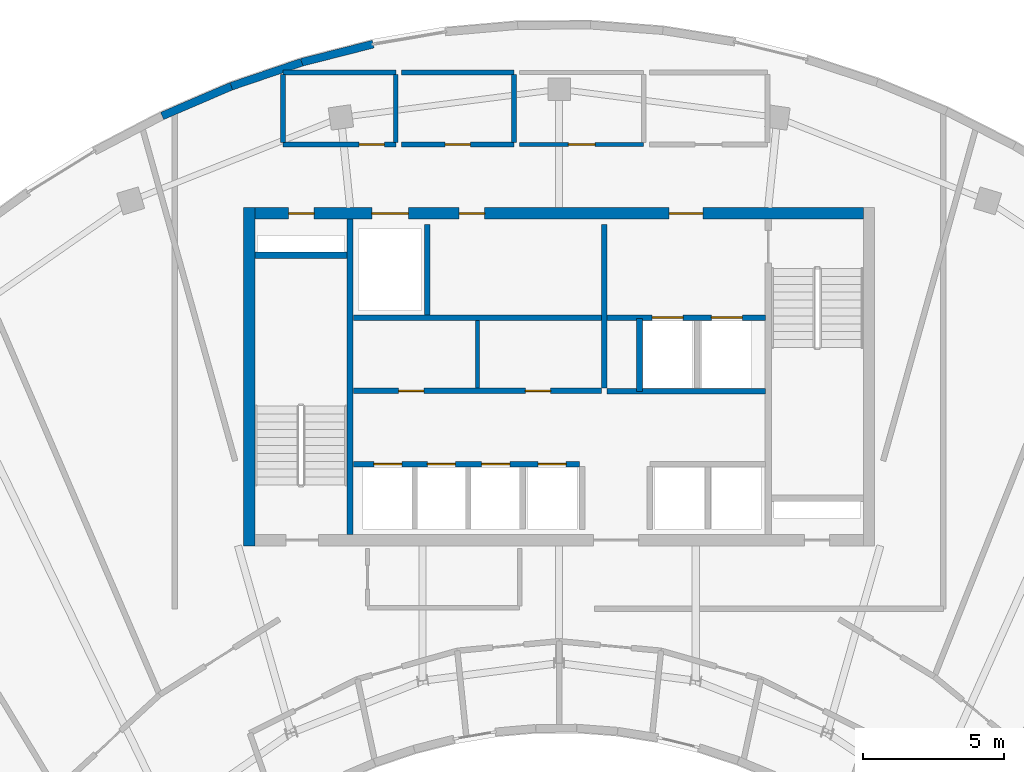
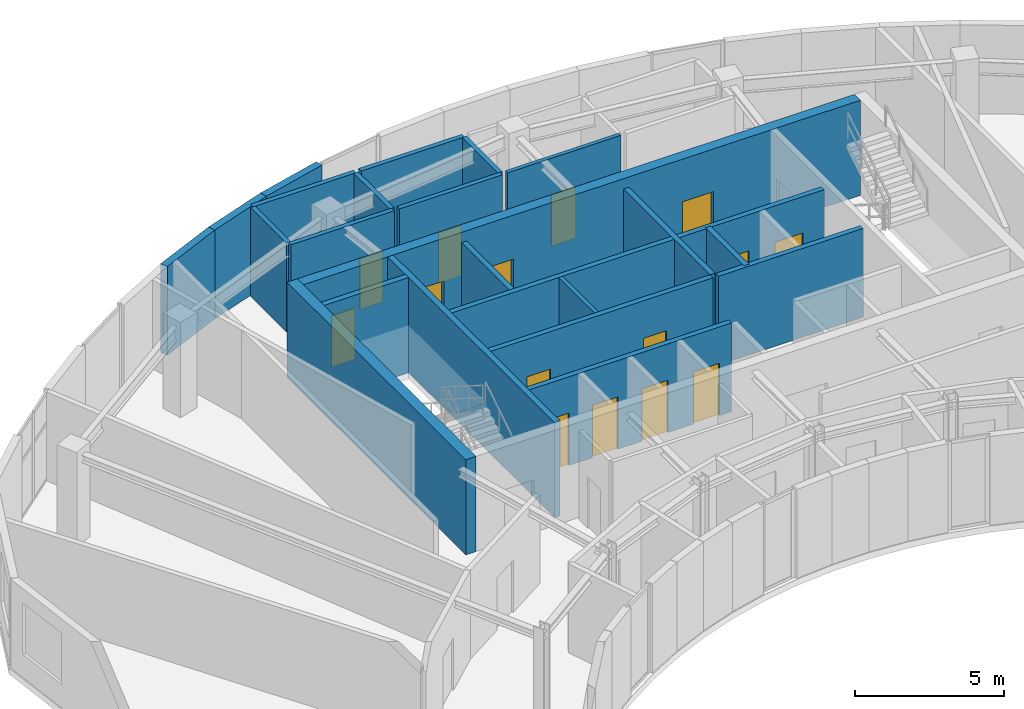
# One storey, part 6 of 9: 24 walls, 15 doors, 15 openings.
"""IFC4 building model written with IfcOpenShell, lengths in metres."""

from ifc_helpers import new_model, si_unit, direction, frame, frame_2d, origin, place, context, subcontext, project, spatial, rectangle, extrude, source, transform, mapped, material, layer, layer_set, type_object, type_shapes, element, fill, save


model = new_model("IFC4")

# Units and contexts
model_context = context("Model", 3, precision=1e-05, world=origin(), true_north=direction((0.0, 1.0)))
body_context = subcontext(model_context, "Body", "Model", "MODEL_VIEW")
ifc_project = project(units=[si_unit("LENGTHUNIT", "METRE"), si_unit("AREAUNIT", "SQUARE_METRE"), si_unit("VOLUMEUNIT", "CUBIC_METRE"), si_unit("PLANEANGLEUNIT", "RADIAN"), si_unit("MASSUNIT", "GRAM", prefix="KILO")], contexts=[model_context])

# Site, building, storey
site_placement = place(None, origin())
site = spatial("IfcSite", under=ifc_project, at=site_placement, CompositionType="ELEMENT")
building_placement = place(site_placement, origin())
building = spatial("IfcBuilding", under=site, at=building_placement, Name="Breltana Convention Tower", CompositionType="ELEMENT")
storey_placement = place(building_placement, frame((0.0, 0.0, 279.60009765625)))
storey = spatial("IfcBuildingStorey", under=building, at=storey_placement, Name="L68", CompositionType="ELEMENT", Elevation=279.60009765625)

# Walls
ifc_material_1 = material(Name="Concrete C50/60", Category="concrete")
ifc_layer_1 = layer(ifc_material_1, 0.39990234375, Name="Concrete C50/60")
ifc_layer_set_1 = layer_set([ifc_layer_1], Name="Concrete C50/60")
wall_type_1 = type_object("IfcWallType", Name="SW-CORE-400", PredefinedType="SHEAR", material=ifc_layer_set_1)
shared_shape_1 = source(origin(), body_context, "Body", "SweptSolid", [
    extrude(rectangle(XDim=3.27001953125, YDim=0.219970703125, at=frame_2d((1.635009765625, 0.0))), origin(), (0.0, 0.0, 1.0), 3.89990234375),
])
wall_1_placement = place(storey_placement, frame((37.199951171875, 70.510009765625, 0.0), z_axis=(0.0, 0.0, 1.0), x_axis=(1.0, 0.0, 0.0)))
element("IfcWall", 1, at=wall_1_placement, inside=storey, type_object=wall_type_1, Name="L68 ST-1 Stairwell North Bearing Wall", PredefinedType="SHEAR", context=body_context, shape_type="MappedRepresentation", body=[
    mapped(shared_shape_1, transform((0.0, 0.0, 0.0), scale=1.0)),
])
shared_shape_2 = source(origin(), body_context, "Body", "SweptSolid", [
    extrude(rectangle(XDim=12.0, YDim=0.39990234375, at=frame_2d((6.0, 0.0))), origin(), (0.0, 0.0, 1.0), 3.89990234375),
])
wall_2_placement = place(storey_placement, frame((37.0, 60.199951171875, 0.0), z_axis=(0.0, 0.0, 1.0), x_axis=(0.0, 1.0, 0.0)))
element("IfcWall", 2, at=wall_2_placement, inside=storey, type_object=wall_type_1, Name="L68 West Core Shear Wall", PredefinedType="SHEAR", context=body_context, shape_type="MappedRepresentation", body=[
    mapped(shared_shape_2, transform((0.0, 0.0, 0.0), scale=1.0)),
])

# Wall, openings, doors
shared_shape_3 = source(origin(), body_context, "Body", "SweptSolid", [
    extrude(rectangle(XDim=21.60009765625, YDim=0.39990234375, at=frame_2d((10.800048828125, 0.0))), origin(), (0.0, 0.0, 1.0), 3.89990234375),
])
wall_3_placement = place(storey_placement, frame((37.199951171875, 72.0, 0.0), z_axis=(0.0, 0.0, 1.0), x_axis=(1.0, 0.0, 0.0)))
wall_3 = element("IfcWall", 3, at=wall_3_placement, inside=storey, type_object=wall_type_1, Name="L68 North Core Shear Wall", PredefinedType="SHEAR", context=body_context, shape_type="MappedRepresentation", body=[
    mapped(shared_shape_3, transform((0.0, 0.0, 0.0), scale=1.0)),
])
opening_1_placement = place(wall_3_placement, frame((1.199951171875, 0.0, 0.0)))
opening_1 = element("IfcOpeningElement", 4, at=opening_1_placement, cuts=wall_3, Name="Opening D-18", PredefinedType="OPENING", context=body_context, shape_type="SweptSolid", body=[
    extrude(rectangle(XDim=0.89990234375, YDim=2.10009765625, at=frame_2d((0.449951171875, 1.050048828125))), frame((0.0, 0.2099609375, 0.0), z_axis=(0.0, -1.0, 0.0), x_axis=(1.0, 0.0, 0.0)), (0.0, 0.0, 1.0), 0.419921875),
])
opening_2_placement = place(wall_3_placement, frame((14.699951171875, 0.0, 0.0)))
opening_2 = element("IfcOpeningElement", 5, at=opening_2_placement, cuts=wall_3, Name="Opening D-09", PredefinedType="OPENING", context=body_context, shape_type="SweptSolid", body=[
    extrude(rectangle(XDim=1.199951171875, YDim=2.14990234375, at=frame_2d((0.60009765625, 1.074951171875))), frame((0.0, 0.2099609375, 0.0), z_axis=(0.0, -1.0, 0.0), x_axis=(1.0, 0.0, 0.0)), (0.0, 0.0, 1.0), 0.419921875),
])
opening_3_placement = place(wall_3_placement, frame((4.14990234375, 0.0, 0.0)))
opening_3 = element("IfcOpeningElement", 6, at=opening_3_placement, cuts=wall_3, Name="Opening LD-01", PredefinedType="OPENING", context=body_context, shape_type="SweptSolid", body=[
    extrude(rectangle(XDim=1.300048828125, YDim=2.14990234375, at=frame_2d((0.64990234375, 1.074951171875))), frame((0.0, 0.2099609375, 0.0), z_axis=(0.0, -1.0, 0.0), x_axis=(1.0, 0.0, 0.0)), (0.0, 0.0, 1.0), 0.419921875),
])
opening_4_placement = place(wall_3_placement, frame((7.25, 0.0, 0.0)))
opening_4 = element("IfcOpeningElement", 7, at=opening_4_placement, cuts=wall_3, Name="Opening D-18", PredefinedType="OPENING", context=body_context, shape_type="SweptSolid", body=[
    extrude(rectangle(XDim=0.89990234375, YDim=2.10009765625, at=frame_2d((0.449951171875, 1.050048828125))), frame((0.0, 0.2099609375, 0.0), z_axis=(0.0, -1.0, 0.0), x_axis=(1.0, 0.0, 0.0)), (0.0, 0.0, 1.0), 0.419921875),
])
ifc_material_2 = material(Name="Steel Riser Fire Door", Category="steel")
door_type_1 = type_object("IfcDoorType", Name="DR-FD60-900", OperationType="NOTDEFINED", PredefinedType="DOOR", material=ifc_material_2)
shared_shape_4 = source(origin(), body_context, "Body", "SweptSolid", [
    extrude(rectangle(XDim=0.89990234375, YDim=2.10009765625, at=frame_2d((0.449951171875, 1.050048828125))), frame((0.0, 0.02490234375, 0.0), z_axis=(0.0, -1.0, 0.0), x_axis=(1.0, 0.0, 0.0)), (0.0, 0.0, 1.0), 0.050048828125),
])
type_shapes(door_type_1, [shared_shape_4])
door_1_placement = place(opening_1_placement, origin())
door_1 = element("IfcDoor", 8, at=door_1_placement, inside=storey, type_object=door_type_1, Name="L68 Core Riser Access Door D-L68-RS1", OperationType="SINGLE_SWING_LEFT", OverallHeight=2.10009765625, OverallWidth=0.89990234375, PredefinedType="DOOR", context=body_context, shape_type="MappedRepresentation", body=[
    mapped(shared_shape_4, transform((0.0, 0.0, 0.0), scale=1.0)),
])
fill(opening_1, door_1)
door_2_placement = place(opening_4_placement, origin())
door_2 = element("IfcDoor", 9, at=door_2_placement, inside=storey, type_object=door_type_1, Name="L68 interior door D-L68-CRA1", OperationType="SINGLE_SWING_RIGHT", OverallHeight=2.10009765625, OverallWidth=0.89990234375, PredefinedType="DOOR", context=body_context, shape_type="MappedRepresentation", body=[
    mapped(shared_shape_4, transform((0.0, 0.0, 0.0), scale=1.0)),
])
fill(opening_4, door_2)
ifc_material_3 = material(Name="Steel Fire Lobby Door", Category="steel")
door_type_2 = type_object("IfcDoorType", Name="DR-FD120-1200", OperationType="NOTDEFINED", PredefinedType="DOOR", material=ifc_material_3)
shared_shape_5 = source(origin(), body_context, "Body", "SweptSolid", [
    extrude(rectangle(XDim=1.199951171875, YDim=2.14990234375, at=frame_2d((0.60009765625, 1.074951171875))), frame((0.0, 0.02490234375, 0.0), z_axis=(0.0, -1.0, 0.0), x_axis=(1.0, 0.0, 0.0)), (0.0, 0.0, 1.0), 0.050048828125),
])
type_shapes(door_type_2, [shared_shape_5])
door_3_placement = place(opening_2_placement, origin())
door_3 = element("IfcDoor", 10, at=door_3_placement, inside=storey, type_object=door_type_2, Name="L68 interior door D-L68-FFL-N", OperationType="SINGLE_SWING_RIGHT", OverallHeight=2.14990234375, OverallWidth=1.199951171875, PredefinedType="DOOR", context=body_context, shape_type="MappedRepresentation", body=[
    mapped(shared_shape_5, transform((0.0, 0.0, 0.0), scale=1.0)),
])
fill(opening_2, door_3)
ifc_material_4 = material(Name="Stainless Steel Brushed", Category="steel")
door_type_3 = type_object("IfcDoorType", Name="DR-LD-SRV-1300", OperationType="DOUBLE_DOOR_SLIDING", PredefinedType="DOOR", material=ifc_material_4)
shared_shape_6 = source(origin(), body_context, "Body", "SweptSolid", [
    extrude(rectangle(XDim=1.300048828125, YDim=2.14990234375, at=frame_2d((0.64990234375, 1.074951171875))), frame((0.0, 0.02490234375, 0.0), z_axis=(0.0, -1.0, 0.0), x_axis=(1.0, 0.0, 0.0)), (0.0, 0.0, 1.0), 0.050048828125),
])
type_shapes(door_type_3, [shared_shape_6])
door_4_placement = place(opening_3_placement, origin())
door_4 = element("IfcDoor", 11, at=door_4_placement, inside=storey, type_object=door_type_3, Name="L68 Lift Landing Door D-L68-LD-SV1", OperationType="DOUBLE_DOOR_SLIDING", OverallHeight=2.14990234375, OverallWidth=1.300048828125, PredefinedType="DOOR", context=body_context, shape_type="MappedRepresentation", body=[
    mapped(shared_shape_6, transform((0.0, 0.0, 0.0), scale=1.0)),
])
fill(opening_3, door_4)

# Walls
shared_shape_7 = source(origin(), body_context, "Body", "SweptSolid", [
    extrude(rectangle(XDim=11.199951171875, YDim=0.219970703125, at=frame_2d((5.60009765625, 0.0))), origin(), (0.0, 0.0, 1.0), 3.89990234375),
])
wall_4_placement = place(storey_placement, frame((40.580078125, 60.60009765625, 0.0), z_axis=(0.0, 0.0, 1.0), x_axis=(0.0, 1.0, 0.0)))
element("IfcWall", 12, at=wall_4_placement, inside=storey, type_object=wall_type_1, Name="L68 Core West Stair Spine Wall", PredefinedType="SHEAR", context=body_context, shape_type="MappedRepresentation", body=[
    mapped(shared_shape_7, transform((0.0, 0.0, 0.0), scale=1.0)),
])
ifc_material_5 = material(Name="Limestone Buff Insulated Wall", Category="masonry")
ifc_layer_2 = layer(ifc_material_5, 0.280029296875, Name="Limestone Buff Insulated Wall")
ifc_layer_set_2 = layer_set([ifc_layer_2], Name="Limestone Buff Insulated Wall")
wall_type_2 = type_object("IfcWallType", Name="WL-EXT-NOSE-280", PredefinedType="SOLIDWALL", material=ifc_layer_set_2)
shared_shape_8 = source(origin(), body_context, "Body", "SweptSolid", [
    extrude(rectangle(XDim=2.67333984375, YDim=0.280029296875, at=frame_2d((1.336669921875, 0.0))), origin(), (0.0, 0.0, 1.0), 3.639892578125),
])
wall_5_placement = place(storey_placement, frame((33.906982421875, 75.45751953125, 0.0), z_axis=(0.0, 0.0, 1.0), x_axis=(0.919036345912, 0.394172798266, 0.0)))
element("IfcWall", 13, at=wall_5_placement, inside=storey, type_object=wall_type_2, Name="L68 curved limestone nose wall E22", PredefinedType="SOLIDWALL", context=body_context, shape_type="MappedRepresentation", body=[
    mapped(shared_shape_8, transform((0.0, 0.0, 0.0), scale=1.0)),
])
shared_shape_9 = source(origin(), body_context, "Body", "SweptSolid", [
    extrude(rectangle(XDim=2.640380859375, YDim=0.280029296875, at=frame_2d((1.3203125, 0.0))), origin(), (0.0, 0.0, 1.0), 3.639892578125),
])
wall_6_placement = place(storey_placement, frame((36.36376953125, 76.51123046875, 0.0), z_axis=(0.0, 0.0, 1.0), x_axis=(0.946685911962, 0.322158011064, 0.0)))
element("IfcWall", 14, at=wall_6_placement, inside=storey, type_object=wall_type_2, Name="L68 curved limestone nose wall E23", PredefinedType="SOLIDWALL", context=body_context, shape_type="MappedRepresentation", body=[
    mapped(shared_shape_9, transform((0.0, 0.0, 0.0), scale=1.0)),
])
shared_shape_10 = source(origin(), body_context, "Body", "SweptSolid", [
    extrude(rectangle(XDim=2.6142578125, YDim=0.280029296875, at=frame_2d((1.30712890625, 0.0))), origin(), (0.0, 0.0, 1.0), 3.639892578125),
])
wall_7_placement = place(storey_placement, frame((38.86328125, 77.36181640625, 0.0), z_axis=(0.0, 0.0, 1.0), x_axis=(0.969106509315, 0.246642602978, 0.0)))
element("IfcWall", 15, at=wall_7_placement, inside=storey, type_object=wall_type_2, Name="L68 curved limestone nose wall E24", PredefinedType="SOLIDWALL", context=body_context, shape_type="MappedRepresentation", body=[
    mapped(shared_shape_10, transform((0.0, 0.0, 0.0), scale=1.0)),
])

# Wall, openings, doors
ifc_material_6 = material(Name="Autoclaved Aerated Concrete Block", Category="concrete")
ifc_layer_3 = layer(ifc_material_6, 0.199951171875, Name="Autoclaved Aerated Concrete Block")
ifc_layer_set_3 = layer_set([ifc_layer_3], Name="Autoclaved Aerated Concrete Block")
wall_type_3 = type_object("IfcWallType", Name="WL-SHAFT-200", PredefinedType="SOLIDWALL", material=ifc_layer_set_3)
shared_shape_11 = source(origin(), body_context, "Body", "SweptSolid", [
    extrude(rectangle(XDim=5.6201171875, YDim=0.199951171875, at=frame_2d((2.81005859375, 0.0))), origin(), (0.0, 0.0, 1.0), 3.639892578125),
])
wall_8_placement = place(storey_placement, frame((49.699951171875, 68.300048828125, 0.0), z_axis=(0.0, 0.0, 1.0), x_axis=(1.0, 0.0, 0.0)))
wall_8 = element("IfcWall", 16, at=wall_8_placement, inside=storey, type_object=wall_type_3, Name="L68 interior partition W-L68-FFL-S", PredefinedType="SOLIDWALL", context=body_context, shape_type="MappedRepresentation", body=[
    mapped(shared_shape_11, transform((0.0, 0.0, 0.0), scale=1.0)),
])
opening_5_placement = place(wall_8_placement, frame((1.60009765625, 0.0, 0.0)))
opening_5 = element("IfcOpeningElement", 17, at=opening_5_placement, cuts=wall_8, Name="Opening LD-03", PredefinedType="OPENING", context=body_context, shape_type="SweptSolid", body=[
    extrude(rectangle(XDim=1.10009765625, YDim=2.14990234375, at=frame_2d((0.550048828125, 1.074951171875))), frame((0.0, 0.10986328125, 0.0), z_axis=(0.0, -1.0, 0.0), x_axis=(1.0, 0.0, 0.0)), (0.0, 0.0, 1.0), 0.219970703125),
])
opening_6_placement = place(wall_8_placement, frame((3.699951171875, 0.0, 0.0)))
opening_6 = element("IfcOpeningElement", 18, at=opening_6_placement, cuts=wall_8, Name="Opening LD-03", PredefinedType="OPENING", context=body_context, shape_type="SweptSolid", body=[
    extrude(rectangle(XDim=1.10009765625, YDim=2.14990234375, at=frame_2d((0.550048828125, 1.074951171875))), frame((0.0, 0.10986328125, 0.0), z_axis=(0.0, -1.0, 0.0), x_axis=(1.0, 0.0, 0.0)), (0.0, 0.0, 1.0), 0.219970703125),
])
door_type_4 = type_object("IfcDoorType", Name="DR-LD-FF-1100", OperationType="DOUBLE_DOOR_SLIDING", PredefinedType="DOOR", material=ifc_material_4)
shared_shape_12 = source(origin(), body_context, "Body", "SweptSolid", [
    extrude(rectangle(XDim=1.10009765625, YDim=2.14990234375, at=frame_2d((0.550048828125, 1.074951171875))), frame((0.0, 0.02490234375, 0.0), z_axis=(0.0, -1.0, 0.0), x_axis=(1.0, 0.0, 0.0)), (0.0, 0.0, 1.0), 0.050048828125),
])
type_shapes(door_type_4, [shared_shape_12])
door_5_placement = place(opening_5_placement, origin())
door_5 = element("IfcDoor", 19, at=door_5_placement, inside=storey, type_object=door_type_4, Name="L68 Lift Landing Door D-L68-LD-FL1", OperationType="DOUBLE_DOOR_SLIDING", OverallHeight=2.14990234375, OverallWidth=1.10009765625, PredefinedType="DOOR", context=body_context, shape_type="MappedRepresentation", body=[
    mapped(shared_shape_12, transform((0.0, 0.0, 0.0), scale=1.0)),
])
fill(opening_5, door_5)
door_6_placement = place(opening_6_placement, origin())
door_6 = element("IfcDoor", 20, at=door_6_placement, inside=storey, type_object=door_type_4, Name="L68 Lift Landing Door D-L68-LD-FL2", OperationType="DOUBLE_DOOR_SLIDING", OverallHeight=2.14990234375, OverallWidth=1.10009765625, PredefinedType="DOOR", context=body_context, shape_type="MappedRepresentation", body=[
    mapped(shared_shape_12, transform((0.0, 0.0, 0.0), scale=1.0)),
])
fill(opening_6, door_6)

# Walls
wall_9_placement = place(storey_placement, frame((49.699951171875, 65.679931640625, 0.0), z_axis=(0.0, 0.0, 1.0), x_axis=(1.0, 0.0, 0.0)))
element("IfcWall", 21, at=wall_9_placement, inside=storey, type_object=wall_type_3, Name="L68 interior partition W-L68-FL-S", PredefinedType="SOLIDWALL", context=body_context, shape_type="MappedRepresentation", body=[
    mapped(shared_shape_11, transform((0.0, 0.0, 0.0), scale=1.0)),
])
shared_shape_13 = source(origin(), body_context, "Body", "SweptSolid", [
    extrude(rectangle(XDim=5.800048828125, YDim=0.199951171875, at=frame_2d((2.89990234375, 0.0))), origin(), (0.0, 0.0, 1.0), 3.639892578125),
])
wall_10_placement = place(storey_placement, frame((49.60009765625, 65.800048828125, 0.0), z_axis=(0.0, 0.0, 1.0), x_axis=(0.0, 1.0, 0.0)))
element("IfcWall", 22, at=wall_10_placement, inside=storey, type_object=wall_type_3, Name="L68 interior partition W-L68-FFL-W", PredefinedType="SOLIDWALL", context=body_context, shape_type="MappedRepresentation", body=[
    mapped(shared_shape_13, transform((0.0, 0.0, 0.0), scale=1.0)),
])
shared_shape_14 = source(origin(), body_context, "Body", "SweptSolid", [
    extrude(rectangle(XDim=2.580078125, YDim=0.199951171875, at=frame_2d((1.2900390625, 0.0))), origin(), (0.0, 0.0, 1.0), 3.639892578125),
])
wall_11_placement = place(storey_placement, frame((50.85009765625, 65.679931640625, 0.0), z_axis=(0.0, 0.0, 1.0), x_axis=(0.0, 1.0, 0.0)))
element("IfcWall", 23, at=wall_11_placement, inside=storey, type_object=wall_type_3, Name="L68 interior partition W-L68-FL-W", PredefinedType="SOLIDWALL", context=body_context, shape_type="MappedRepresentation", body=[
    mapped(shared_shape_14, transform((0.0, 0.0, 0.0), scale=1.0)),
])
shared_shape_15 = source(origin(), body_context, "Body", "SweptSolid", [
    extrude(rectangle(XDim=3.2001953125, YDim=0.199951171875, at=frame_2d((1.60009765625, 0.0))), origin(), (0.0, 0.0, 1.0), 3.639892578125),
])
wall_12_placement = place(storey_placement, frame((43.320068359375, 68.39990234375, 0.0), z_axis=(0.0, 0.0, 1.0), x_axis=(0.0, 1.0, 0.0)))
element("IfcWall", 24, at=wall_12_placement, inside=storey, type_object=wall_type_3, Name="L68 interior partition W-L68-SV-E", PredefinedType="SOLIDWALL", context=body_context, shape_type="MappedRepresentation", body=[
    mapped(shared_shape_15, transform((0.0, 0.0, 0.0), scale=1.0)),
])
shared_shape_16 = source(origin(), body_context, "Body", "SweptSolid", [
    extrude(rectangle(XDim=8.800048828125, YDim=0.199951171875, at=frame_2d((4.39990234375, 0.0))), origin(), (0.0, 0.0, 1.0), 3.639892578125),
])
wall_13_placement = place(storey_placement, frame((40.699951171875, 68.300048828125, 0.0), z_axis=(0.0, 0.0, 1.0), x_axis=(1.0, 0.0, 0.0)))
element("IfcWall", 25, at=wall_13_placement, inside=storey, type_object=wall_type_3, Name="L68 interior partition W-L68-SV-S", PredefinedType="SOLIDWALL", context=body_context, shape_type="MappedRepresentation", body=[
    mapped(shared_shape_16, transform((0.0, 0.0, 0.0), scale=1.0)),
])

# Wall, openings, doors
wall_14_placement = place(storey_placement, frame((40.699951171875, 65.699951171875, 0.0), z_axis=(0.0, 0.0, 1.0), x_axis=(1.0, 0.0, 0.0)))
wall_14 = element("IfcWall", 26, at=wall_14_placement, inside=storey, type_object=wall_type_3, Name="L68 interior partition W-L68-SH-M-FRONT", PredefinedType="SOLIDWALL", context=body_context, shape_type="MappedRepresentation", body=[
    mapped(shared_shape_16, transform((0.0, 0.0, 0.0), scale=1.0)),
])
opening_7_placement = place(wall_14_placement, frame((1.60009765625, 0.0, 0.0)))
opening_7 = element("IfcOpeningElement", 27, at=opening_7_placement, cuts=wall_14, Name="Opening D-18", PredefinedType="OPENING", context=body_context, shape_type="SweptSolid", body=[
    extrude(rectangle(XDim=0.89990234375, YDim=2.10009765625, at=frame_2d((0.449951171875, 1.050048828125))), frame((0.0, 0.10986328125, 0.0), z_axis=(0.0, -1.0, 0.0), x_axis=(1.0, 0.0, 0.0)), (0.0, 0.0, 1.0), 0.219970703125),
])
opening_8_placement = place(wall_14_placement, frame((6.10009765625, 0.0, 0.0)))
opening_8 = element("IfcOpeningElement", 28, at=opening_8_placement, cuts=wall_14, Name="Opening D-18", PredefinedType="OPENING", context=body_context, shape_type="SweptSolid", body=[
    extrude(rectangle(XDim=0.89990234375, YDim=2.10009765625, at=frame_2d((0.449951171875, 1.050048828125))), frame((0.0, 0.10986328125, 0.0), z_axis=(0.0, -1.0, 0.0), x_axis=(1.0, 0.0, 0.0)), (0.0, 0.0, 1.0), 0.219970703125),
])
door_7_placement = place(opening_7_placement, origin())
door_7 = element("IfcDoor", 29, at=door_7_placement, inside=storey, type_object=door_type_1, Name="L68 interior door D-L68-LV7-B2A", OperationType="SINGLE_SWING_LEFT", OverallHeight=2.10009765625, OverallWidth=0.89990234375, PredefinedType="DOOR", context=body_context, shape_type="MappedRepresentation", body=[
    mapped(shared_shape_4, transform((0.0, 0.0, 0.0), scale=1.0)),
])
fill(opening_7, door_7)
door_8_placement = place(opening_8_placement, origin())
door_8 = element("IfcDoor", 30, at=door_8_placement, inside=storey, type_object=door_type_1, Name="L68 interior door D-L68-LV7-B2B", OperationType="SINGLE_SWING_RIGHT", OverallHeight=2.10009765625, OverallWidth=0.89990234375, PredefinedType="DOOR", context=body_context, shape_type="MappedRepresentation", body=[
    mapped(shared_shape_4, transform((0.0, 0.0, 0.0), scale=1.0)),
])
fill(opening_8, door_8)

shared_shape_17 = source(origin(), body_context, "Body", "SweptSolid", [
    extrude(rectangle(XDim=8.02001953125, YDim=0.199951171875, at=frame_2d((4.010009765625, 0.0))), origin(), (0.0, 0.0, 1.0), 3.639892578125),
])
wall_15_placement = place(storey_placement, frame((40.699951171875, 63.10009765625, 0.0), z_axis=(0.0, 0.0, 1.0), x_axis=(1.0, 0.0, 0.0)))
wall_15 = element("IfcWall", 31, at=wall_15_placement, inside=storey, type_object=wall_type_3, Name="L68 interior partition W-L68-SH-S-FRONT", PredefinedType="SOLIDWALL", context=body_context, shape_type="MappedRepresentation", body=[
    mapped(shared_shape_17, transform((0.0, 0.0, 0.0), scale=1.0)),
])
opening_9_placement = place(wall_15_placement, frame((0.719970703125, 0.0, 0.0)))
opening_9 = element("IfcOpeningElement", 32, at=opening_9_placement, cuts=wall_15, Name="Opening LD-04", PredefinedType="OPENING", context=body_context, shape_type="SweptSolid", body=[
    extrude(rectangle(XDim=1.0, YDim=2.14990234375, at=frame_2d((0.5, 1.074951171875))), frame((0.0, 0.10986328125, 0.0), z_axis=(0.0, -1.0, 0.0), x_axis=(1.0, 0.0, 0.0)), (0.0, 0.0, 1.0), 0.219970703125),
])
opening_10_placement = place(wall_15_placement, frame((2.6201171875, 0.0, 0.0)))
opening_10 = element("IfcOpeningElement", 33, at=opening_10_placement, cuts=wall_15, Name="Opening LD-04", PredefinedType="OPENING", context=body_context, shape_type="SweptSolid", body=[
    extrude(rectangle(XDim=1.0, YDim=2.14990234375, at=frame_2d((0.5, 1.074951171875))), frame((0.0, 0.10986328125, 0.0), z_axis=(0.0, -1.0, 0.0), x_axis=(1.0, 0.0, 0.0)), (0.0, 0.0, 1.0), 0.219970703125),
])
opening_11_placement = place(wall_15_placement, frame((4.550048828125, 0.0, 0.0)))
opening_11 = element("IfcOpeningElement", 34, at=opening_11_placement, cuts=wall_15, Name="Opening LD-04", PredefinedType="OPENING", context=body_context, shape_type="SweptSolid", body=[
    extrude(rectangle(XDim=1.0, YDim=2.14990234375, at=frame_2d((0.5, 1.074951171875))), frame((0.0, 0.10986328125, 0.0), z_axis=(0.0, -1.0, 0.0), x_axis=(1.0, 0.0, 0.0)), (0.0, 0.0, 1.0), 0.219970703125),
])
opening_12_placement = place(wall_15_placement, frame((6.550048828125, 0.0, 0.0)))
opening_12 = element("IfcOpeningElement", 35, at=opening_12_placement, cuts=wall_15, Name="Opening LD-04", PredefinedType="OPENING", context=body_context, shape_type="SweptSolid", body=[
    extrude(rectangle(XDim=1.0, YDim=2.14990234375, at=frame_2d((0.5, 1.074951171875))), frame((0.0, 0.10986328125, 0.0), z_axis=(0.0, -1.0, 0.0), x_axis=(1.0, 0.0, 0.0)), (0.0, 0.0, 1.0), 0.219970703125),
])
door_type_5 = type_object("IfcDoorType", Name="DR-LD-PAX-1000", OperationType="DOUBLE_DOOR_SLIDING", PredefinedType="DOOR", material=ifc_material_4)
shared_shape_18 = source(origin(), body_context, "Body", "SweptSolid", [
    extrude(rectangle(XDim=1.0, YDim=2.14990234375, at=frame_2d((0.5, 1.074951171875))), frame((0.0, 0.02490234375, 0.0), z_axis=(0.0, -1.0, 0.0), x_axis=(1.0, 0.0, 0.0)), (0.0, 0.0, 1.0), 0.050048828125),
])
type_shapes(door_type_5, [shared_shape_18])
door_9_placement = place(opening_9_placement, origin())
door_9 = element("IfcDoor", 36, at=door_9_placement, inside=storey, type_object=door_type_5, Name="L68 Lift Landing Door D-L68-LD-S1", OperationType="DOUBLE_DOOR_SLIDING", OverallHeight=2.14990234375, OverallWidth=1.0, PredefinedType="DOOR", context=body_context, shape_type="MappedRepresentation", body=[
    mapped(shared_shape_18, transform((0.0, 0.0, 0.0), scale=1.0)),
])
fill(opening_9, door_9)
door_10_placement = place(opening_10_placement, origin())
door_10 = element("IfcDoor", 37, at=door_10_placement, inside=storey, type_object=door_type_5, Name="L68 Lift Landing Door D-L68-LD-S2", OperationType="DOUBLE_DOOR_SLIDING", OverallHeight=2.14990234375, OverallWidth=1.0, PredefinedType="DOOR", context=body_context, shape_type="MappedRepresentation", body=[
    mapped(shared_shape_18, transform((0.0, 0.0, 0.0), scale=1.0)),
])
fill(opening_10, door_10)
door_11_placement = place(opening_11_placement, origin())
door_11 = element("IfcDoor", 38, at=door_11_placement, inside=storey, type_object=door_type_5, Name="L68 Lift Landing Door D-L68-LD-S3", OperationType="DOUBLE_DOOR_SLIDING", OverallHeight=2.14990234375, OverallWidth=1.0, PredefinedType="DOOR", context=body_context, shape_type="MappedRepresentation", body=[
    mapped(shared_shape_18, transform((0.0, 0.0, 0.0), scale=1.0)),
])
fill(opening_11, door_11)
door_12_placement = place(opening_12_placement, origin())
door_12 = element("IfcDoor", 39, at=door_12_placement, inside=storey, type_object=door_type_5, Name="L68 Lift Landing Door D-L68-LD-S4", OperationType="DOUBLE_DOOR_SLIDING", OverallHeight=2.14990234375, OverallWidth=1.0, PredefinedType="DOOR", context=body_context, shape_type="MappedRepresentation", body=[
    mapped(shared_shape_18, transform((0.0, 0.0, 0.0), scale=1.0)),
])
fill(opening_12, door_12)

# Wall, opening, door
ifc_material_7 = material(Name="Cement Board Wet-Area Partition")
ifc_layer_4 = layer(ifc_material_7, 0.175048828125, Name="Cement Board Wet-Area Partition")
ifc_layer_set_4 = layer_set([ifc_layer_4], Name="Cement Board Wet-Area Partition")
wall_type_4 = type_object("IfcWallType", Name="WL-WET-175", PredefinedType="PARTITIONING", material=ifc_layer_set_4)
shared_shape_19 = source(origin(), body_context, "Body", "SweptSolid", [
    extrude(rectangle(XDim=4.0, YDim=0.175048828125, at=frame_2d((2.0, 0.0))), origin(), (0.0, 0.0, 1.0), 3.639892578125),
])
wall_16_placement = place(storey_placement, frame((38.199951171875, 74.43994140625, 0.0), z_axis=(0.0, 0.0, 1.0), x_axis=(1.0, 0.0, 0.0)))
wall_16 = element("IfcWall", 40, at=wall_16_placement, inside=storey, type_object=wall_type_4, Name="L68 interior partition W-L68-WCM-S", PredefinedType="PARTITIONING", context=body_context, shape_type="MappedRepresentation", body=[
    mapped(shared_shape_19, transform((0.0, 0.0, 0.0), scale=1.0)),
])
opening_13_placement = place(wall_16_placement, frame((2.699951171875, 0.0, 0.0)))
opening_13 = element("IfcOpeningElement", 41, at=opening_13_placement, cuts=wall_16, Name="Opening D-19", PredefinedType="OPENING", context=body_context, shape_type="SweptSolid", body=[
    extrude(rectangle(XDim=0.89990234375, YDim=2.080078125, at=frame_2d((0.449951171875, 1.0400390625))), frame((0.0, 0.09765625, 0.0), z_axis=(0.0, -1.0, 0.0), x_axis=(1.0, 0.0, 0.0)), (0.0, 0.0, 1.0), 0.195068359375),
])
ifc_material_8 = material(Name="Timber Moisture-Resistant Door", Category="wood")
door_type_6 = type_object("IfcDoorType", Name="DR-WC-900", OperationType="NOTDEFINED", PredefinedType="DOOR", material=ifc_material_8)
shared_shape_20 = source(origin(), body_context, "Body", "SweptSolid", [
    extrude(rectangle(XDim=0.89990234375, YDim=2.080078125, at=frame_2d((0.449951171875, 1.0400390625))), frame((0.0, 0.02490234375, 0.0), z_axis=(0.0, -1.0, 0.0), x_axis=(1.0, 0.0, 0.0)), (0.0, 0.0, 1.0), 0.050048828125),
])
type_shapes(door_type_6, [shared_shape_20])
door_13_placement = place(opening_13_placement, origin())
door_13 = element("IfcDoor", 42, at=door_13_placement, inside=storey, type_object=door_type_6, Name="L68 interior door D-L68-WCM", OperationType="SINGLE_SWING_RIGHT", OverallHeight=2.080078125, OverallWidth=0.89990234375, PredefinedType="DOOR", context=body_context, shape_type="MappedRepresentation", body=[
    mapped(shared_shape_20, transform((0.0, 0.0, 0.0), scale=1.0)),
])
fill(opening_13, door_13)

wall_17_placement = place(storey_placement, frame((42.39990234375, 74.43994140625, 0.0), z_axis=(0.0, 0.0, 1.0), x_axis=(1.0, 0.0, 0.0)))
wall_17 = element("IfcWall", 43, at=wall_17_placement, inside=storey, type_object=wall_type_4, Name="L68 interior partition W-L68-WCF-S", PredefinedType="PARTITIONING", context=body_context, shape_type="MappedRepresentation", body=[
    mapped(shared_shape_19, transform((0.0, 0.0, 0.0), scale=1.0)),
])
opening_14_placement = place(wall_17_placement, frame((1.550048828125, 0.0, 0.0)))
opening_14 = element("IfcOpeningElement", 44, at=opening_14_placement, cuts=wall_17, Name="Opening D-19", PredefinedType="OPENING", context=body_context, shape_type="SweptSolid", body=[
    extrude(rectangle(XDim=0.89990234375, YDim=2.080078125, at=frame_2d((0.449951171875, 1.0400390625))), frame((0.0, 0.09765625, 0.0), z_axis=(0.0, -1.0, 0.0), x_axis=(1.0, 0.0, 0.0)), (0.0, 0.0, 1.0), 0.195068359375),
])
door_14_placement = place(opening_14_placement, origin())
door_14 = element("IfcDoor", 45, at=door_14_placement, inside=storey, type_object=door_type_6, Name="L68 interior door D-L68-WCF", OperationType="SINGLE_SWING_LEFT", OverallHeight=2.080078125, OverallWidth=0.89990234375, PredefinedType="DOOR", context=body_context, shape_type="MappedRepresentation", body=[
    mapped(shared_shape_20, transform((0.0, 0.0, 0.0), scale=1.0)),
])
fill(opening_14, door_14)

# Walls
ifc_material_9 = material(Name="Moisture-Resistant Gypsum Chase Wall")
ifc_layer_5 = layer(ifc_material_9, 0.179931640625, Name="Moisture-Resistant Gypsum Chase Wall")
ifc_layer_set_5 = layer_set([ifc_layer_5], Name="Moisture-Resistant Gypsum Chase Wall")
wall_type_5 = type_object("IfcWallType", Name="WL-PLUMB-180", PredefinedType="PLUMBINGWALL", material=ifc_layer_set_5)
shared_shape_21 = source(origin(), body_context, "Body", "SweptSolid", [
    extrude(rectangle(XDim=4.0, YDim=0.179931640625, at=frame_2d((2.0, 0.0))), origin(), (0.0, 0.0, 1.0), 3.639892578125),
])
for number, where, z_axis, x_axis, name in (
    (46, (38.199951171875, 77.0, 0.0), (0.0, 0.0, 1.0), (1.0, 0.0, 0.0), "L68 interior partition W-L68-WCM-N"),
    (47, (42.39990234375, 77.0, 0.0), (0.0, 0.0, 1.0), (1.0, 0.0, 0.0), "L68 interior partition W-L68-WCF-N"),
):
    element("IfcWall", number, at=place(storey_placement, frame(where, z_axis=z_axis, x_axis=x_axis)), inside=storey, type_object=wall_type_5, Name=name, PredefinedType="PLUMBINGWALL", context=body_context, shape_type="MappedRepresentation", body=[
        mapped(shared_shape_21, transform((0.0, 0.0, 0.0), scale=1.0)),
    ])
shared_shape_22 = source(origin(), body_context, "Body", "SweptSolid", [
    extrude(rectangle(XDim=2.402587890625, YDim=0.175048828125, at=frame_2d((1.201171875, 0.0))), origin(), (0.0, 0.0, 1.0), 3.639892578125),
])
for number, where, z_axis, x_axis, name in (
    (48, (38.199951171875, 74.518798828125, 0.0), (0.0, 0.0, 1.0), (0.0, 1.0, 0.0), "L68 interior partition W-L68-WCM-W"),
    (49, (42.199951171875, 74.518798828125, 0.0), (0.0, 0.0, 1.0), (0.0, 1.0, 0.0), "L68 interior partition W-L68-WCM-E"),
    (50, (46.39990234375, 74.518798828125, 0.0), (0.0, 0.0, 1.0), (0.0, 1.0, 0.0), "L68 interior partition W-L68-WCF-E"),
):
    element("IfcWall", number, at=place(storey_placement, frame(where, z_axis=z_axis, x_axis=x_axis)), inside=storey, type_object=wall_type_4, Name=name, PredefinedType="PARTITIONING", context=body_context, shape_type="MappedRepresentation", body=[
        mapped(shared_shape_22, transform((0.0, 0.0, 0.0), scale=1.0)),
    ])

# Wall, opening, door
ifc_material_10 = material(Name="Gypsum Acoustic Drywall Partition")
ifc_layer_6 = layer(ifc_material_10, 0.14990234375, Name="Gypsum Acoustic Drywall Partition")
ifc_layer_set_6 = layer_set([ifc_layer_6], Name="Gypsum Acoustic Drywall Partition")
wall_type_6 = type_object("IfcWallType", Name="WL-PART-150", PredefinedType="PARTITIONING", material=ifc_layer_set_6)
shared_shape_23 = source(origin(), body_context, "Body", "SweptSolid", [
    extrude(rectangle(XDim=4.39990234375, YDim=0.14990234375, at=frame_2d((2.199951171875, 0.0))), origin(), (0.0, 0.0, 1.0), 3.639892578125),
])
wall_18_placement = place(storey_placement, frame((46.60009765625, 74.43994140625, 0.0), z_axis=(0.0, 0.0, 1.0), x_axis=(1.0, 0.0, 0.0)))
wall_18 = element("IfcWall", 51, at=wall_18_placement, inside=storey, type_object=wall_type_6, Name="L68 interior partition W-L68-PNT-S", PredefinedType="PARTITIONING", context=body_context, shape_type="MappedRepresentation", body=[
    mapped(shared_shape_23, transform((0.0, 0.0, 0.0), scale=1.0)),
])
opening_15_placement = place(wall_18_placement, frame((1.72509765625, 0.0, 0.0)))
opening_15 = element("IfcOpeningElement", 52, at=opening_15_placement, cuts=wall_18, Name="Opening D-17", PredefinedType="OPENING", context=body_context, shape_type="SweptSolid", body=[
    extrude(rectangle(XDim=0.949951171875, YDim=2.10009765625, at=frame_2d((0.47509765625, 1.050048828125))), frame((0.0, 0.0849609375, 0.0), z_axis=(0.0, -1.0, 0.0), x_axis=(1.0, 0.0, 0.0)), (0.0, 0.0, 1.0), 0.169921875),
])
ifc_material_11 = material(Name="Timber Oak Veneer Door", Category="wood")
door_type_7 = type_object("IfcDoorType", Name="DR-INT-950", OperationType="NOTDEFINED", PredefinedType="DOOR", material=ifc_material_11)
shared_shape_24 = source(origin(), body_context, "Body", "SweptSolid", [
    extrude(rectangle(XDim=0.949951171875, YDim=2.10009765625, at=frame_2d((0.47509765625, 1.050048828125))), frame((0.0, 0.02490234375, 0.0), z_axis=(0.0, -1.0, 0.0), x_axis=(1.0, 0.0, 0.0)), (0.0, 0.0, 1.0), 0.050048828125),
])
type_shapes(door_type_7, [shared_shape_24])
door_15_placement = place(opening_15_placement, origin())
door_15 = element("IfcDoor", 53, at=door_15_placement, inside=storey, type_object=door_type_7, Name="L68 interior door D-L68-PNT", OperationType="SINGLE_SWING_RIGHT", OverallHeight=2.10009765625, OverallWidth=0.949951171875, PredefinedType="DOOR", context=body_context, shape_type="MappedRepresentation", body=[
    mapped(shared_shape_24, transform((0.0, 0.0, 0.0), scale=1.0)),
])
fill(opening_15, door_15)

# Wall
shared_shape_25 = source(origin(), body_context, "Body", "SweptSolid", [
    extrude(rectangle(XDim=2.39990234375, YDim=0.14990234375, at=frame_2d((1.199951171875, 0.0))), origin(), (0.0, 0.0, 1.0), 3.639892578125),
])
wall_19_placement = place(storey_placement, frame((45.10009765625, 65.800048828125, 0.0), z_axis=(0.0, 0.0, 1.0), x_axis=(0.0, 1.0, 0.0)))
element("IfcWall", 54, at=wall_19_placement, inside=storey, type_object=wall_type_6, Name="L68 interior partition W-L68-LV7-B2-DIV", PredefinedType="PARTITIONING", context=body_context, shape_type="MappedRepresentation", body=[
    mapped(shared_shape_25, transform((0.0, 0.0, 0.0), scale=1.0)),
])

save(model, "model.ifc")
